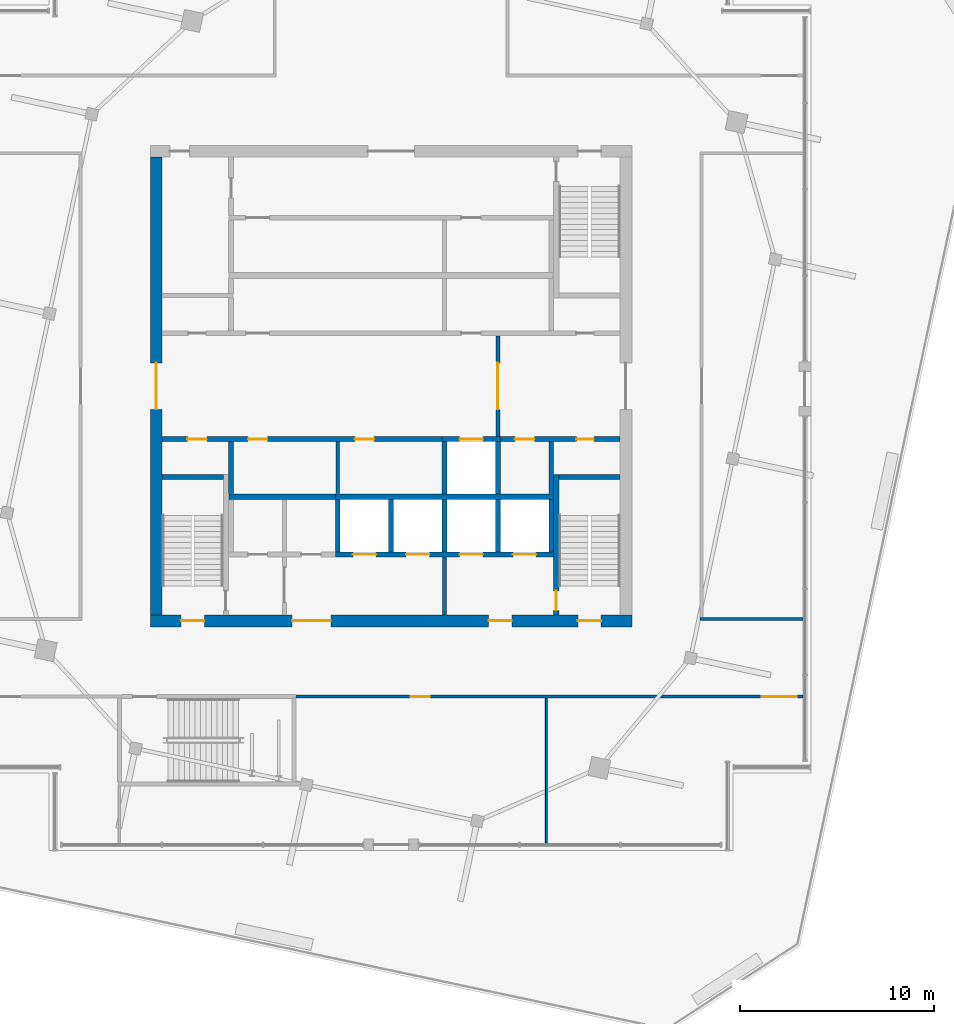
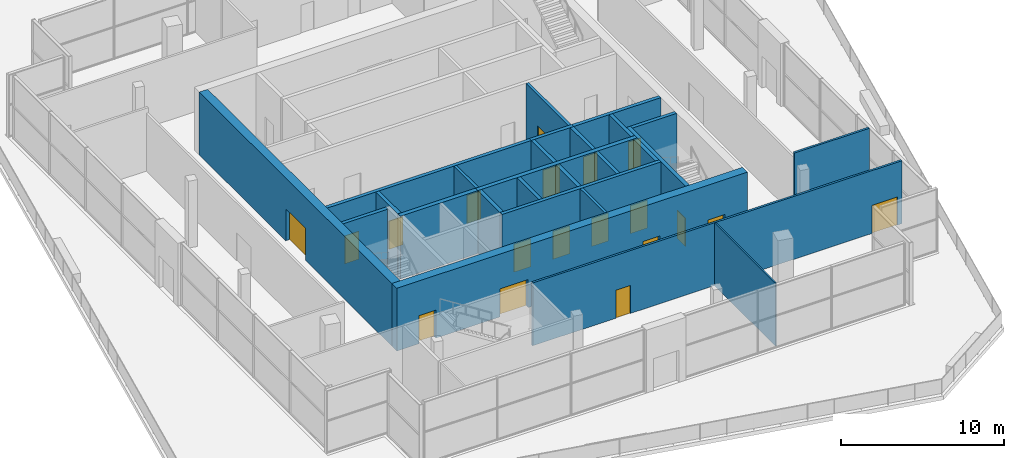
# One storey, part 8 of 14: 26 walls, 19 doors, 19 openings.
"""IFC4 building model written with IfcOpenShell, lengths in metres."""

import ifcopenshell
import ifcopenshell.guid

model = None  # the IFC model being written
_history = None  # IfcOwnerHistory: only IFC2X3 demands one
_inside = {}  # id of a spatial element -> (the spatial element, [elements in it])
_under = {}  # id of a project, library or spatial element -> (it, [spatial elements below it])
_declared = {}  # id of a project -> (the project, [libraries it declares])
_typed = {}  # id of a type object -> (the type object, [elements of that type])
_made_of = {}  # id of a material, layer set ... -> (it, [elements and type objects made of it])


def new_model(schema):
    """Start an empty IFC model of exactly this schema.

    Asked for "IFC4X3", IfcOpenShell would pick the latest addendum, in which some entities
    have other attributes; the version numbers below select the first issue.
    IFC2X3 requires an IfcOwnerHistory on every rooted entity: one is made here for all.
    """
    global model, _history
    if schema == "IFC4X3":
        model = ifcopenshell.file(schema_version=(4, 3, 0, 0))
    else:
        model = ifcopenshell.file(schema=schema)
    _inside.clear()
    _under.clear()
    _declared.clear()
    _typed.clear()
    _made_of.clear()
    _history = None
    if model.schema == "IFC2X3":
        org = make("IfcOrganization", Name="unknown")
        user = make(
            "IfcPersonAndOrganization",
            ThePerson=make("IfcPerson", FamilyName="unknown"),
            TheOrganization=org,
        )
        app = make(
            "IfcApplication",
            ApplicationDeveloper=org,
            Version="unknown",
            ApplicationFullName="unknown",
            ApplicationIdentifier="unknown",
        )
        _history = make(
            "IfcOwnerHistory",
            OwningUser=user,
            OwningApplication=app,
            ChangeAction="ADDED",
            CreationDate=0,
        )
    return model


def make(cls, **values):
    """One entity of the class cls with the attributes given. An attribute that is None is left unset."""
    return model.create_entity(
        cls, **{name: value for name, value in values.items() if value is not None}
    )


def rooted(cls, **values):
    """An entity with a GlobalId (a new one), such as an element, a storey or a relation."""
    return make(cls, GlobalId=ifcopenshell.guid.new(), OwnerHistory=_history, **values)


def si_unit(unit_type, name, prefix=None):
    """IfcSIUnit, for example si_unit("LENGTHUNIT", "METRE", prefix="MILLI")."""
    return make("IfcSIUnit", UnitType=unit_type, Prefix=prefix, Name=name)


def assignment(units):
    """IfcUnitAssignment: the units of a project."""
    return None if units is None else make("IfcUnitAssignment", Units=units)


def point(xyz):
    """IfcCartesianPoint."""
    return None if xyz is None else make("IfcCartesianPoint", Coordinates=xyz)


def direction(xyz):
    """IfcDirection."""
    return None if xyz is None else make("IfcDirection", DirectionRatios=xyz)


def frame(location, z_axis=None, x_axis=None):
    """IfcAxis2Placement3D, a coordinate frame: its origin and axes. An axis left out is left unset."""
    return make(
        "IfcAxis2Placement3D",
        Location=point(location),
        Axis=direction(z_axis),
        RefDirection=direction(x_axis),
    )


def frame_2d(location, x_axis=None):
    """IfcAxis2Placement2D, a coordinate frame in the plane: its origin and x axis."""
    return make(
        "IfcAxis2Placement2D", Location=point(location), RefDirection=direction(x_axis)
    )


def origin():
    """The frame at (0, 0, 0) with its axes left unset."""
    return frame((0.0, 0.0, 0.0))


def place(relative_to, where):
    """IfcLocalPlacement: puts the frame where relative to a parent placement (None: the world)."""
    return make(
        "IfcLocalPlacement", PlacementRelTo=relative_to, RelativePlacement=where
    )


def context(
    kind, dimensions, precision=None, world=None, true_north=None, identifier=None
):
    """IfcGeometricRepresentationContext, for example the 3D "Model" context."""
    return make(
        "IfcGeometricRepresentationContext",
        ContextIdentifier=identifier,
        ContextType=kind,
        CoordinateSpaceDimension=dimensions,
        Precision=precision,
        WorldCoordinateSystem=world,
        TrueNorth=true_north,
    )


def subcontext(parent, identifier, kind, view, scale=None):
    """IfcGeometricRepresentationSubContext, for example "Body" below "Model"."""
    return make(
        "IfcGeometricRepresentationSubContext",
        ContextIdentifier=identifier,
        ContextType=kind,
        ParentContext=parent,
        TargetScale=scale,
        TargetView=view,
    )


def project(units=None, contexts=None):
    """IfcProject with its units and contexts."""
    return rooted(
        "IfcProject",
        Name="project",
        RepresentationContexts=contexts,
        UnitsInContext=assignment(units),
    )


def spatial(cls, under=None, at=None, **own):
    """A site, building, storey or space (cls), placed at a placement, below another one or the project."""
    s = rooted(cls, ObjectPlacement=at, **own)
    if under is not None:
        _under.setdefault(under.id(), (under, []))[1].append(s)
    return s


def profile(cls, at=None, kind="AREA", **sizes):
    """A parametric profile (cls). Its sizes go by their IFC names, for example OverallWidth=200.0."""
    return make(cls, ProfileType=kind, Position=at, **sizes)


def rectangle(**sizes):
    """IfcRectangleProfileDef."""
    return profile("IfcRectangleProfileDef", **sizes)


def extrude(swept, where, along, depth):
    """IfcExtrudedAreaSolid: the profile swept, set in the frame where, extruded along a direction by depth."""
    return make(
        "IfcExtrudedAreaSolid",
        SweptArea=swept,
        Position=where,
        ExtrudedDirection=direction(along),
        Depth=depth,
    )


def shape(context_of_items, identifier, shape_type, items):
    """IfcShapeRepresentation: the items that make up one representation, for example the "Body"."""
    return make(
        "IfcShapeRepresentation",
        ContextOfItems=context_of_items,
        RepresentationIdentifier=identifier,
        RepresentationType=shape_type,
        Items=items,
    )


def material(Name=None, Category=None):
    """IfcMaterial."""
    return make("IfcMaterial", Name=Name, Category=Category)


def layer(
    of_material, thickness, ventilated=None, Name=None, Category=None, Priority=None
):
    """IfcMaterialLayer: one layer of a wall or slab, of a material (None: an air gap)."""
    return make(
        "IfcMaterialLayer",
        Material=of_material,
        LayerThickness=thickness,
        IsVentilated=ventilated,
        Name=Name,
        Category=Category,
        Priority=Priority,
    )


def layer_set(layers, Name=None):
    """IfcMaterialLayerSet."""
    return make("IfcMaterialLayerSet", MaterialLayers=layers, LayerSetName=Name)


def made_of(thing, what):
    """Note that an element or type object is made of a material, layer set ...; save() writes the relation."""
    if what is not None:
        _made_of.setdefault(what.id(), (what, []))[1].append(thing)
    return thing


def type_object(cls, material=None, **own):
    """A type object (cls), such as IfcWallType, which elements share."""
    return made_of(rooted(cls, **own), material)


def element(
    cls,
    number,
    at=None,
    inside=None,
    cuts=None,
    type_object=None,
    material=None,
    context=None,
    identifier="Body",
    shape_type=None,
    held_by="IfcProductDefinitionShape",
    body=None,
    shapes=None,
    **own,
):
    """One element of the class cls, such as IfcWall. Its Tag is "e" and its number.

    at: its placement. inside: the storey or other place that contains it. cuts: it is an
    opening in that element (IfcRelVoidsElement). A single representation is given by context,
    identifier, shape_type and body (its items); several are given by shapes. held_by: the class
    of the entity that holds the representations. save() writes the other relations.
    """
    e = rooted(cls, Tag="e%d" % number, ObjectPlacement=at, **own)
    if body is not None:
        shapes = [shape(context, identifier, shape_type, body)]
    if shapes is not None:
        e.Representation = make(held_by, Representations=shapes)
    if inside is not None:
        _inside.setdefault(inside.id(), (inside, []))[1].append(e)
    if cuts is not None:
        rooted(
            "IfcRelVoidsElement", RelatingBuildingElement=cuts, RelatedOpeningElement=e
        )
    if type_object is not None:
        _typed.setdefault(type_object.id(), (type_object, []))[1].append(e)
    return made_of(e, material)


def fill(opening, filler):
    """IfcRelFillsElement: the door or window that sits in an opening."""
    return rooted(
        "IfcRelFillsElement",
        RelatingOpeningElement=opening,
        RelatedBuildingElement=filler,
    )


def aggregate(whole, parts):
    """IfcRelAggregates: a whole, such as a stair, and the parts it consists of."""
    return rooted("IfcRelAggregates", RelatingObject=whole, RelatedObjects=parts)


def save(model, path):
    """Write the relations noted so far, then the file.

    IfcRelAggregates (storeys below a building ...), IfcRelContainedInSpatialStructure (elements
    in a storey), IfcRelDefinesByType, IfcRelAssociatesMaterial and IfcRelDeclares: one each for
    every whole, place, type object, material and project.
    """
    for whole, parts in _under.values():
        aggregate(whole, parts)
    for where, things in _inside.values():
        rooted(
            "IfcRelContainedInSpatialStructure",
            RelatedElements=things,
            RelatingStructure=where,
        )
    for kind, things in _typed.values():
        rooted("IfcRelDefinesByType", RelatedObjects=things, RelatingType=kind)
    for what, things in _made_of.values():
        rooted("IfcRelAssociatesMaterial", RelatedObjects=things, RelatingMaterial=what)
    for by, libraries in _declared.values():
        rooted("IfcRelDeclares", RelatingContext=by, RelatedDefinitions=libraries)
    model.write(path)


model = new_model("IFC4")

# Units and contexts
model_context = context("Model", 3, precision=1e-05, world=origin(), true_north=direction((0.0, 1.0)))
body_context = subcontext(model_context, "Body", "Model", "MODEL_VIEW")
ifc_project = project(units=[si_unit("LENGTHUNIT", "METRE"), si_unit("AREAUNIT", "SQUARE_METRE"), si_unit("VOLUMEUNIT", "CUBIC_METRE"), si_unit("PLANEANGLEUNIT", "RADIAN"), si_unit("MASSUNIT", "GRAM", prefix="KILO")], contexts=[model_context])

# Site, building, storey
site_placement = place(None, origin())
site = spatial("IfcSite", under=ifc_project, at=site_placement, CompositionType="ELEMENT")
building_placement = place(site_placement, origin())
building = spatial("IfcBuilding", under=site, at=building_placement, Name="Dilmun Exchange Tower", CompositionType="ELEMENT")
storey_placement = place(building_placement, frame((0.0, 0.0, 368.10009765625)))
storey = spatial("IfcBuildingStorey", under=building, at=storey_placement, Name="Crown L86", CompositionType="ELEMENT", Elevation=368.10009765625)

# Walls
ifc_material_1 = material(Name="Concrete C40/50", Category="concrete")
ifc_layer_1 = layer(ifc_material_1, 0.199951171875)
ifc_layer_set_1 = layer_set([ifc_layer_1], Name="Concrete C40/50")
wall_type_1 = type_object("IfcWallType", Name="Core partition wall 200", PredefinedType="PARTITIONING", material=ifc_layer_set_1)
wall_1_placement = place(storey_placement, frame((2.75, -11.794921875, 0.0), z_axis=(0.0, 0.0, 1.0), x_axis=(0.0, 1.0, 0.0)))
element("IfcWall", 1, at=wall_1_placement, inside=storey, type_object=wall_type_1, Name="Crown L86 core partition wall 02", PredefinedType="PARTITIONING", context=body_context, shape_type="SweptSolid", body=[
    extrude(rectangle(XDim=2.989990234375, YDim=0.199951171875, at=frame_2d((1.4951171875, 0.0))), origin(), (0.0, 0.0, 1.0), 4.699951171875),
])
wall_2_placement = place(storey_placement, frame((-2.75, -5.544921875, 0.0), z_axis=(0.0, 0.0, 1.0), x_axis=(0.0, 1.0, 0.0)))
element("IfcWall", 2, at=wall_2_placement, inside=storey, type_object=wall_type_1, Name="Crown L86 core partition wall 08", PredefinedType="PARTITIONING", context=body_context, shape_type="SweptSolid", body=[
    extrude(rectangle(XDim=2.68994140625, YDim=0.199951171875, at=frame_2d((1.344970703125, 0.0))), origin(), (0.0, 0.0, 1.0), 4.699951171875),
])

# Wall, opening, door
wall_3_placement = place(storey_placement, frame((5.5, -2.594970703125, 0.0), z_axis=(0.0, 0.0, 1.0), x_axis=(0.0, 1.0, 0.0)))
wall_3 = element("IfcWall", 3, at=wall_3_placement, inside=storey, type_object=wall_type_1, Name="Crown L86 core partition wall 12", PredefinedType="PARTITIONING", context=body_context, shape_type="SweptSolid", body=[
    extrude(rectangle(XDim=5.18994140625, YDim=0.199951171875, at=frame_2d((2.594970703125, 0.0))), origin(), (0.0, 0.0, 1.0), 4.699951171875),
])
opening_1_placement = place(wall_3_placement, frame((1.39501953125, 0.0, 0.0)))
opening_1 = element("IfcOpeningElement", 4, at=opening_1_placement, cuts=wall_3, Name="Opening CD1", PredefinedType="OPENING", context=body_context, shape_type="SweptSolid", body=[
    extrude(rectangle(XDim=2.39990234375, YDim=2.39990234375, at=frame_2d((1.199951171875, 1.199951171875))), frame((0.0, 0.10986328125, 0.0), z_axis=(0.0, -1.0, 0.0), x_axis=(1.0, 0.0, 0.0)), (0.0, 0.0, 1.0), 0.219970703125),
])
ifc_material_2 = material(Name="Fire-rated steel door set", Category="steel")
door_type_1 = type_object("IfcDoorType", Name="Core lobby door 2400x2400", OperationType="DOUBLE_DOOR_DOUBLE_SWING", PredefinedType="DOOR", material=ifc_material_2)
door_1_placement = place(opening_1_placement, origin())
door_1 = element("IfcDoor", 5, at=door_1_placement, inside=storey, type_object=door_type_1, Name="Crown L86 door Lift lobby east", OperationType="SINGLE_SWING_LEFT", OverallHeight=2.39990234375, OverallWidth=2.39990234375, PredefinedType="DOOR", context=body_context, shape_type="SweptSolid", body=[
    extrude(rectangle(XDim=2.39990234375, YDim=2.39990234375, at=frame_2d((1.199951171875, 1.199951171875))), frame((0.0, 0.02490234375, 0.0), z_axis=(0.0, -1.0, 0.0), x_axis=(1.0, 0.0, 0.0)), (0.0, 0.0, 1.0), 0.050048828125),
])
fill(opening_1, door_1)

# Walls
ifc_layer_2 = layer(ifc_material_1, 0.25)
ifc_layer_set_2 = layer_set([ifc_layer_2], Name="Concrete C40/50")
wall_type_2 = type_object("IfcWallType", Name="Core partition wall 250", PredefinedType="PARTITIONING", material=ifc_layer_set_2)
for number, where, z_axis, x_axis, name in (
    (6, (-8.25, -5.544921875, 0.0), (0.0, 0.0, 1.0), (0.0, 1.0, 0.0), "Crown L86 core partition wall 07"),
    (7, (8.25, -5.544921875, 0.0), (0.0, 0.0, 1.0), (0.0, 1.0, 0.0), "Crown L86 core partition wall 09"),
):
    element("IfcWall", number, at=place(storey_placement, frame(where, z_axis=z_axis, x_axis=x_axis)), inside=storey, type_object=wall_type_2, Name=name, PredefinedType="PARTITIONING", context=body_context, shape_type="SweptSolid", body=[
        extrude(rectangle(XDim=2.68994140625, YDim=0.25, at=frame_2d((1.344970703125, 0.0))), origin(), (0.0, 0.0, 1.0), 4.699951171875),
    ])

# Wall, openings, doors
wall_4_placement = place(storey_placement, frame((-11.794921875, -2.72509765625, 0.0), z_axis=(0.0, 0.0, 1.0), x_axis=(1.0, 0.0, 0.0)))
wall_4 = element("IfcWall", 8, at=wall_4_placement, inside=storey, type_object=wall_type_2, Name="Crown L86 core partition wall 10", PredefinedType="PARTITIONING", context=body_context, shape_type="SweptSolid", body=[
    extrude(rectangle(XDim=14.4150390625, YDim=0.25, at=frame_2d((7.20751953125, 0.0))), origin(), (0.0, 0.0, 1.0), 4.699951171875),
])
opening_2_placement = place(wall_4_placement, frame((1.294921875, 0.0, 0.0)))
opening_2 = element("IfcOpeningElement", 9, at=opening_2_placement, cuts=wall_4, Name="Opening CD4", PredefinedType="OPENING", context=body_context, shape_type="SweptSolid", body=[
    extrude(rectangle(XDim=1.0, YDim=2.10009765625, at=frame_2d((0.5, 1.050048828125))), frame((0.0, 0.135009765625, 0.0), z_axis=(0.0, -1.0, 0.0), x_axis=(1.0, 0.0, 0.0)), (0.0, 0.0, 1.0), 0.27001953125),
])
opening_3_placement = place(wall_4_placement, frame((4.419921875, 0.0, 0.0)))
opening_3 = element("IfcOpeningElement", 10, at=opening_3_placement, cuts=wall_4, Name="Opening CD4", PredefinedType="OPENING", context=body_context, shape_type="SweptSolid", body=[
    extrude(rectangle(XDim=1.0, YDim=2.10009765625, at=frame_2d((0.5, 1.050048828125))), frame((0.0, 0.135009765625, 0.0), z_axis=(0.0, -1.0, 0.0), x_axis=(1.0, 0.0, 0.0)), (0.0, 0.0, 1.0), 0.27001953125),
])
opening_4_placement = place(wall_4_placement, frame((9.919921875, 0.0, 0.0)))
opening_4 = element("IfcOpeningElement", 11, at=opening_4_placement, cuts=wall_4, Name="Opening CD4", PredefinedType="OPENING", context=body_context, shape_type="SweptSolid", body=[
    extrude(rectangle(XDim=1.0, YDim=2.10009765625, at=frame_2d((0.5, 1.050048828125))), frame((0.0, 0.135009765625, 0.0), z_axis=(0.0, -1.0, 0.0), x_axis=(1.0, 0.0, 0.0)), (0.0, 0.0, 1.0), 0.27001953125),
])
door_type_2 = type_object("IfcDoorType", Name="Core room door 1000x2100", OperationType="SINGLE_SWING_LEFT", PredefinedType="DOOR", material=ifc_material_2)
door_2_placement = place(opening_2_placement, origin())
door_2 = element("IfcDoor", 12, at=door_2_placement, inside=storey, type_object=door_type_2, Name="Crown L86 door Accessible WC", OperationType="SINGLE_SWING_LEFT", OverallHeight=2.10009765625, OverallWidth=1.0, PredefinedType="DOOR", context=body_context, shape_type="SweptSolid", body=[
    extrude(rectangle(XDim=1.0, YDim=2.10009765625, at=frame_2d((0.5, 1.050048828125))), frame((0.0, 0.02490234375, 0.0), z_axis=(0.0, -1.0, 0.0), x_axis=(1.0, 0.0, 0.0)), (0.0, 0.0, 1.0), 0.050048828125),
])
fill(opening_2, door_2)
door_3_placement = place(opening_3_placement, origin())
door_3 = element("IfcDoor", 13, at=door_3_placement, inside=storey, type_object=door_type_2, Name="Crown L86 door Mechanical room", OperationType="SINGLE_SWING_LEFT", OverallHeight=2.10009765625, OverallWidth=1.0, PredefinedType="DOOR", context=body_context, shape_type="SweptSolid", body=[
    extrude(rectangle(XDim=1.0, YDim=2.10009765625, at=frame_2d((0.5, 1.050048828125))), frame((0.0, 0.02490234375, 0.0), z_axis=(0.0, -1.0, 0.0), x_axis=(1.0, 0.0, 0.0)), (0.0, 0.0, 1.0), 0.050048828125),
])
fill(opening_3, door_3)
door_4_placement = place(opening_4_placement, origin())
door_4 = element("IfcDoor", 14, at=door_4_placement, inside=storey, type_object=door_type_2, Name="Crown L86 door Tenant services room", OperationType="SINGLE_SWING_LEFT", OverallHeight=2.10009765625, OverallWidth=1.0, PredefinedType="DOOR", context=body_context, shape_type="SweptSolid", body=[
    extrude(rectangle(XDim=1.0, YDim=2.10009765625, at=frame_2d((0.5, 1.050048828125))), frame((0.0, 0.02490234375, 0.0), z_axis=(0.0, -1.0, 0.0), x_axis=(1.0, 0.0, 0.0)), (0.0, 0.0, 1.0), 0.050048828125),
])
fill(opening_4, door_4)

wall_5_placement = place(storey_placement, frame((5.6298828125, -2.72509765625, 0.0), z_axis=(0.0, 0.0, 1.0), x_axis=(1.0, 0.0, 0.0)))
wall_5 = element("IfcWall", 15, at=wall_5_placement, inside=storey, type_object=wall_type_2, Name="Crown L86 core partition wall 11", PredefinedType="PARTITIONING", context=body_context, shape_type="SweptSolid", body=[
    extrude(rectangle(XDim=6.1650390625, YDim=0.25, at=frame_2d((3.08251953125, 0.0))), origin(), (0.0, 0.0, 1.0), 4.699951171875),
])
opening_5_placement = place(wall_5_placement, frame((0.7451171875, 0.0, 0.0)))
opening_5 = element("IfcOpeningElement", 16, at=opening_5_placement, cuts=wall_5, Name="Opening CD4", PredefinedType="OPENING", context=body_context, shape_type="SweptSolid", body=[
    extrude(rectangle(XDim=1.0, YDim=2.10009765625, at=frame_2d((0.5, 1.050048828125))), frame((0.0, 0.135009765625, 0.0), z_axis=(0.0, -1.0, 0.0), x_axis=(1.0, 0.0, 0.0)), (0.0, 0.0, 1.0), 0.27001953125),
])
opening_6_placement = place(wall_5_placement, frame((3.919921875, 0.0, 0.0)))
opening_6 = element("IfcOpeningElement", 17, at=opening_6_placement, cuts=wall_5, Name="Opening CD6", PredefinedType="OPENING", context=body_context, shape_type="SweptSolid", body=[
    extrude(rectangle(XDim=0.89990234375, YDim=2.10009765625, at=frame_2d((0.449951171875, 1.050048828125))), frame((0.0, 0.135009765625, 0.0), z_axis=(0.0, -1.0, 0.0), x_axis=(1.0, 0.0, 0.0)), (0.0, 0.0, 1.0), 0.27001953125),
])
door_5_placement = place(opening_5_placement, origin())
door_5 = element("IfcDoor", 18, at=door_5_placement, inside=storey, type_object=door_type_2, Name="Crown L86 door Cleaners' store", OperationType="SINGLE_SWING_LEFT", OverallHeight=2.10009765625, OverallWidth=1.0, PredefinedType="DOOR", context=body_context, shape_type="SweptSolid", body=[
    extrude(rectangle(XDim=1.0, YDim=2.10009765625, at=frame_2d((0.5, 1.050048828125))), frame((0.0, 0.02490234375, 0.0), z_axis=(0.0, -1.0, 0.0), x_axis=(1.0, 0.0, 0.0)), (0.0, 0.0, 1.0), 0.050048828125),
])
fill(opening_5, door_5)
door_type_3 = type_object("IfcDoorType", Name="Core room door 900x2100", OperationType="SINGLE_SWING_LEFT", PredefinedType="DOOR", material=ifc_material_2)
door_6_placement = place(opening_6_placement, origin())
door_6 = element("IfcDoor", 19, at=door_6_placement, inside=storey, type_object=door_type_3, Name="Crown L86 door Comms riser", OperationType="SINGLE_SWING_LEFT", OverallHeight=2.10009765625, OverallWidth=0.89990234375, PredefinedType="DOOR", context=body_context, shape_type="SweptSolid", body=[
    extrude(rectangle(XDim=0.89990234375, YDim=2.10009765625, at=frame_2d((0.449951171875, 1.050048828125))), frame((0.0, 0.02490234375, 0.0), z_axis=(0.0, -1.0, 0.0), x_axis=(1.0, 0.0, 0.0)), (0.0, 0.0, 1.0), 0.050048828125),
])
fill(opening_6, door_6)

# Wall
ifc_layer_3 = layer(ifc_material_1, 0.300048828125)
ifc_layer_set_3 = layer_set([ifc_layer_3], Name="Concrete C40/50")
wall_type_3 = type_object("IfcWallType", Name="Core partition wall 300", PredefinedType="PARTITIONING", material=ifc_layer_set_3)
wall_6_placement = place(storey_placement, frame((-8.35009765625, -5.699951171875, 0.0), z_axis=(0.0, 0.0, 1.0), x_axis=(1.0, 0.0, 0.0)))
element("IfcWall", 20, at=wall_6_placement, inside=storey, type_object=wall_type_3, Name="Crown L86 core partition wall 06", PredefinedType="PARTITIONING", context=body_context, shape_type="SweptSolid", body=[
    extrude(rectangle(XDim=5.47021484375, YDim=0.300048828125, at=frame_2d((2.735107421875, 0.0))), origin(), (0.0, 0.0, 1.0), 4.699951171875),
])

# Wall, openings, doors
ifc_material_3 = material(Name="Concrete C50/60", Category="concrete")
ifc_layer_4 = layer(ifc_material_3, 0.60009765625)
ifc_layer_set_4 = layer_set([ifc_layer_4], Name="Concrete C50/60")
wall_type_4 = type_object("IfcWallType", Name="Core shear wall 600 Concrete C50/60", PredefinedType="SHEAR", material=ifc_layer_set_4)
wall_7_placement = place(storey_placement, frame((-12.39990234375, -12.10009765625, 0.0), z_axis=(0.0, 0.0, 1.0), x_axis=(1.0, 0.0, 0.0)))
wall_7 = element("IfcWall", 21, at=wall_7_placement, inside=storey, type_object=wall_type_4, Name="Crown L86 core shear wall S", PredefinedType="SHEAR", context=body_context, shape_type="SweptSolid", body=[
    extrude(rectangle(XDim=24.7998046875, YDim=0.60009765625, at=frame_2d((12.39990234375, 0.0))), origin(), (0.0, 0.0, 1.0), 4.699951171875),
])
opening_7_placement = place(wall_7_placement, frame((7.300048828125, 0.0, 0.0)))
opening_7 = element("IfcOpeningElement", 22, at=opening_7_placement, cuts=wall_7, Name="Opening CD2", PredefinedType="OPENING", context=body_context, shape_type="SweptSolid", body=[
    extrude(rectangle(XDim=2.0, YDim=2.10009765625, at=frame_2d((1.0, 1.050048828125))), frame((0.0, 0.31005859375, 0.0), z_axis=(0.0, -1.0, 0.0), x_axis=(1.0, 0.0, 0.0)), (0.0, 0.0, 1.0), 0.6201171875),
])
opening_8_placement = place(wall_7_placement, frame((17.425048828125, 0.0, 0.0)))
opening_8 = element("IfcOpeningElement", 23, at=opening_8_placement, cuts=wall_7, Name="Opening CD3", PredefinedType="OPENING", context=body_context, shape_type="SweptSolid", body=[
    extrude(rectangle(XDim=1.199951171875, YDim=2.10009765625, at=frame_2d((0.60009765625, 1.050048828125))), frame((0.0, 0.31005859375, 0.0), z_axis=(0.0, -1.0, 0.0), x_axis=(1.0, 0.0, 0.0)), (0.0, 0.0, 1.0), 0.6201171875),
])
opening_9_placement = place(wall_7_placement, frame((1.574951171875, 0.0, 0.0)))
opening_9 = element("IfcOpeningElement", 24, at=opening_9_placement, cuts=wall_7, Name="Opening CD3", PredefinedType="OPENING", context=body_context, shape_type="SweptSolid", body=[
    extrude(rectangle(XDim=1.199951171875, YDim=2.10009765625, at=frame_2d((0.60009765625, 1.050048828125))), frame((0.0, 0.31005859375, 0.0), z_axis=(0.0, -1.0, 0.0), x_axis=(1.0, 0.0, 0.0)), (0.0, 0.0, 1.0), 0.6201171875),
])
opening_10_placement = place(wall_7_placement, frame((22.02490234375, 0.0, 0.0)))
opening_10 = element("IfcOpeningElement", 25, at=opening_10_placement, cuts=wall_7, Name="Opening CD3", PredefinedType="OPENING", context=body_context, shape_type="SweptSolid", body=[
    extrude(rectangle(XDim=1.199951171875, YDim=2.10009765625, at=frame_2d((0.60009765625, 1.050048828125))), frame((0.0, 0.31005859375, 0.0), z_axis=(0.0, -1.0, 0.0), x_axis=(1.0, 0.0, 0.0)), (0.0, 0.0, 1.0), 0.6201171875),
])
door_type_4 = type_object("IfcDoorType", Name="Core service door 2000x2100", OperationType="DOUBLE_DOOR_DOUBLE_SWING", PredefinedType="DOOR", material=ifc_material_2)
door_7_placement = place(opening_7_placement, origin())
door_7 = element("IfcDoor", 26, at=door_7_placement, inside=storey, type_object=door_type_4, Name="Crown L86 door South service lobby", OperationType="SINGLE_SWING_LEFT", OverallHeight=2.10009765625, OverallWidth=2.0, PredefinedType="DOOR", context=body_context, shape_type="SweptSolid", body=[
    extrude(rectangle(XDim=2.0, YDim=2.10009765625, at=frame_2d((1.0, 1.050048828125))), frame((0.0, 0.02490234375, 0.0), z_axis=(0.0, -1.0, 0.0), x_axis=(1.0, 0.0, 0.0)), (0.0, 0.0, 1.0), 0.050048828125),
])
fill(opening_7, door_7)
door_type_5 = type_object("IfcDoorType", Name="Stair exit door 1200x2100", OperationType="SINGLE_SWING_LEFT", PredefinedType="DOOR", material=ifc_material_2)
door_8_placement = place(opening_8_placement, origin())
door_8 = element("IfcDoor", 27, at=door_8_placement, inside=storey, type_object=door_type_5, Name="Crown L86 door Fire-fighting lobby", OperationType="SINGLE_SWING_LEFT", OverallHeight=2.10009765625, OverallWidth=1.199951171875, PredefinedType="DOOR", context=body_context, shape_type="SweptSolid", body=[
    extrude(rectangle(XDim=1.199951171875, YDim=2.10009765625, at=frame_2d((0.60009765625, 1.050048828125))), frame((0.0, 0.02490234375, 0.0), z_axis=(0.0, -1.0, 0.0), x_axis=(1.0, 0.0, 0.0)), (0.0, 0.0, 1.0), 0.050048828125),
])
fill(opening_8, door_8)
door_9_placement = place(opening_9_placement, origin())
door_9 = element("IfcDoor", 28, at=door_9_placement, inside=storey, type_object=door_type_5, Name="Crown L86 door Stair ST2", OperationType="SINGLE_SWING_LEFT", OverallHeight=2.10009765625, OverallWidth=1.199951171875, PredefinedType="DOOR", context=body_context, shape_type="SweptSolid", body=[
    extrude(rectangle(XDim=1.199951171875, YDim=2.10009765625, at=frame_2d((0.60009765625, 1.050048828125))), frame((0.0, 0.02490234375, 0.0), z_axis=(0.0, -1.0, 0.0), x_axis=(1.0, 0.0, 0.0)), (0.0, 0.0, 1.0), 0.050048828125),
])
fill(opening_9, door_9)
door_10_placement = place(opening_10_placement, origin())
door_10 = element("IfcDoor", 29, at=door_10_placement, inside=storey, type_object=door_type_5, Name="Crown L86 door Stair ST3", OperationType="SINGLE_SWING_LEFT", OverallHeight=2.10009765625, OverallWidth=1.199951171875, PredefinedType="DOOR", context=body_context, shape_type="SweptSolid", body=[
    extrude(rectangle(XDim=1.199951171875, YDim=2.10009765625, at=frame_2d((0.60009765625, 1.050048828125))), frame((0.0, 0.02490234375, 0.0), z_axis=(0.0, -1.0, 0.0), x_axis=(1.0, 0.0, 0.0)), (0.0, 0.0, 1.0), 0.050048828125),
])
fill(opening_10, door_10)

# Wall, opening, door
wall_8_placement = place(storey_placement, frame((-12.10009765625, -11.800048828125, 0.0), z_axis=(0.0, 0.0, 1.0), x_axis=(0.0, 1.0, 0.0)))
wall_8 = element("IfcWall", 30, at=wall_8_placement, inside=storey, type_object=wall_type_4, Name="Crown L86 core shear wall W", PredefinedType="SHEAR", context=body_context, shape_type="SweptSolid", body=[
    extrude(rectangle(XDim=23.60009765625, YDim=0.60009765625, at=frame_2d((11.800048828125, 0.0))), origin(), (0.0, 0.0, 1.0), 4.699951171875),
])
opening_11_placement = place(wall_8_placement, frame((10.60009765625, 0.0, 0.0)))
opening_11 = element("IfcOpeningElement", 31, at=opening_11_placement, cuts=wall_8, Name="Opening CD1", PredefinedType="OPENING", context=body_context, shape_type="SweptSolid", body=[
    extrude(rectangle(XDim=2.39990234375, YDim=2.39990234375, at=frame_2d((1.199951171875, 1.199951171875))), frame((0.0, 0.31005859375, 0.0), z_axis=(0.0, -1.0, 0.0), x_axis=(1.0, 0.0, 0.0)), (0.0, 0.0, 1.0), 0.6201171875),
])
door_11_placement = place(opening_11_placement, origin())
door_11 = element("IfcDoor", 32, at=door_11_placement, inside=storey, type_object=door_type_1, Name="Crown L86 door Central lift lobby", OperationType="SINGLE_SWING_LEFT", OverallHeight=2.39990234375, OverallWidth=2.39990234375, PredefinedType="DOOR", context=body_context, shape_type="SweptSolid", body=[
    extrude(rectangle(XDim=2.39990234375, YDim=2.39990234375, at=frame_2d((1.199951171875, 1.199951171875))), frame((0.0, 0.02490234375, 0.0), z_axis=(0.0, -1.0, 0.0), x_axis=(1.0, 0.0, 0.0)), (0.0, 0.0, 1.0), 0.050048828125),
])
fill(opening_11, door_11)

# Wall, openings, doors
ifc_material_4 = material(Name="Fire partition EI 60 150 gypsum")
ifc_layer_5 = layer(ifc_material_4, 0.14990234375)
ifc_layer_set_5 = layer_set([ifc_layer_5], Name="Fire partition EI 60 150 gypsum")
wall_type_5 = type_object("IfcWallType", Name="Fire partition EI 60 150 gypsum", PredefinedType="PARTITIONING", material=ifc_layer_set_5)
wall_9_placement = place(storey_placement, frame((-4.89990234375, -16.0, 0.0), z_axis=(0.0, 0.0, 1.0), x_axis=(1.0, 0.0, 0.0)))
wall_9 = element("IfcWall", 33, at=wall_9_placement, inside=storey, type_object=wall_type_5, Name="Crown L86 partition", PredefinedType="PARTITIONING", context=body_context, shape_type="SweptSolid", body=[
    extrude(rectangle(XDim=26.123291015625, YDim=0.14990234375, at=frame_2d((13.0615234375, 0.0))), origin(), (0.0, 0.0, 1.0), 4.699951171875),
])
opening_12_placement = place(wall_9_placement, frame((5.89990234375, 0.0, 0.0)))
opening_12 = element("IfcOpeningElement", 34, at=opening_12_placement, cuts=wall_9, Name="Opening CrownL86-D008", PredefinedType="OPENING", context=body_context, shape_type="SweptSolid", body=[
    extrude(rectangle(XDim=1.0, YDim=2.10009765625, at=frame_2d((0.5, 1.050048828125))), frame((0.0, 0.0849609375, 0.0), z_axis=(0.0, -1.0, 0.0), x_axis=(1.0, 0.0, 0.0)), (0.0, 0.0, 1.0), 0.169921875),
])
opening_13_placement = place(wall_9_placement, frame((24.0, 0.0, 0.0)))
opening_13 = element("IfcOpeningElement", 35, at=opening_13_placement, cuts=wall_9, Name="Opening CrownL86-D009", PredefinedType="OPENING", context=body_context, shape_type="SweptSolid", body=[
    extrude(rectangle(XDim=1.800048828125, YDim=2.10009765625, at=frame_2d((0.89990234375, 1.050048828125))), frame((0.0, 0.0849609375, 0.0), z_axis=(0.0, -1.0, 0.0), x_axis=(1.0, 0.0, 0.0)), (0.0, 0.0, 1.0), 0.169921875),
])
ifc_material_5 = material(Name="Fire door FD60 1000 x 2100")
door_type_6 = type_object("IfcDoorType", Name="Fire door FD60 1000 x 2100", OperationType="SINGLE_SWING_LEFT", PredefinedType="DOOR", material=ifc_material_5)
door_12_placement = place(opening_12_placement, origin())
door_12 = element("IfcDoor", 36, at=door_12_placement, inside=storey, type_object=door_type_6, Name="Crown L86 door CrownL86-D008", OperationType="SINGLE_SWING_RIGHT", OverallHeight=2.10009765625, OverallWidth=1.0, PredefinedType="DOOR", context=body_context, shape_type="SweptSolid", body=[
    extrude(rectangle(XDim=1.0, YDim=2.10009765625, at=frame_2d((0.5, 1.050048828125))), frame((0.0, 0.02490234375, 0.0), z_axis=(0.0, -1.0, 0.0), x_axis=(1.0, 0.0, 0.0)), (0.0, 0.0, 1.0), 0.050048828125),
])
fill(opening_12, door_12)
ifc_material_6 = material(Name="Fire door FD60 double 1800 x 2100")
door_type_7 = type_object("IfcDoorType", Name="Fire door FD60 double 1800 x 2100", OperationType="DOUBLE_DOOR_SINGLE_SWING", PredefinedType="DOOR", material=ifc_material_6)
door_13_placement = place(opening_13_placement, origin())
door_13 = element("IfcDoor", 37, at=door_13_placement, inside=storey, type_object=door_type_7, Name="Crown L86 door CrownL86-D009", OperationType="DOUBLE_DOOR_SINGLE_SWING", OverallHeight=2.10009765625, OverallWidth=1.800048828125, PredefinedType="DOOR", context=body_context, shape_type="SweptSolid", body=[
    extrude(rectangle(XDim=1.800048828125, YDim=2.10009765625, at=frame_2d((0.89990234375, 1.050048828125))), frame((0.0, 0.02490234375, 0.0), z_axis=(0.0, -1.0, 0.0), x_axis=(1.0, 0.0, 0.0)), (0.0, 0.0, 1.0), 0.050048828125),
])
fill(opening_13, door_13)

# Walls
wall_10_placement = place(storey_placement, frame((15.925048828125, -12.0, 0.0), z_axis=(0.0, 0.0, 1.0), x_axis=(1.0, 0.0, 0.0)))
element("IfcWall", 38, at=wall_10_placement, inside=storey, type_object=wall_type_5, Name="Crown L86 partition", PredefinedType="PARTITIONING", context=body_context, shape_type="SweptSolid", body=[
    extrude(rectangle(XDim=5.29833984375, YDim=0.14990234375, at=frame_2d((2.649169921875, 0.0))), origin(), (0.0, 0.0, 1.0), 4.699951171875),
])
ifc_layer_6 = layer(ifc_material_1, 0.300048828125)
ifc_layer_set_6 = layer_set([ifc_layer_6], Name="Concrete C40/50")
wall_type_6 = type_object("IfcWallType", Name="Lift shaft shared wall 300", PredefinedType="SOLIDWALL", material=ifc_layer_set_6)
wall_11_placement = place(storey_placement, frame((-2.875, -5.699951171875, 0.0), z_axis=(0.0, 0.0, 1.0), x_axis=(1.0, 0.0, 0.0)))
element("IfcWall", 39, at=wall_11_placement, inside=storey, type_object=wall_type_6, Name="Crown L86 lift shaft rear wall S", PredefinedType="SOLIDWALL", context=body_context, shape_type="SweptSolid", body=[
    extrude(rectangle(XDim=11.25, YDim=0.300048828125, at=frame_2d((5.625, 0.0))), origin(), (0.0, 0.0, 1.0), 4.699951171875),
])

# Wall, opening, door
ifc_layer_7 = layer(ifc_material_1, 0.25)
ifc_layer_set_7 = layer_set([ifc_layer_7], Name="Concrete C40/50")
wall_type_7 = type_object("IfcWallType", Name="Lift shaft wall 250", PredefinedType="SOLIDWALL", material=ifc_layer_set_7)
wall_12_placement = place(storey_placement, frame((2.625, -2.72509765625, 0.0), z_axis=(0.0, 0.0, 1.0), x_axis=(1.0, 0.0, 0.0)))
wall_12 = element("IfcWall", 40, at=wall_12_placement, inside=storey, type_object=wall_type_7, Name="Crown L86 lift shaft front wall S1", PredefinedType="SOLIDWALL", context=body_context, shape_type="SweptSolid", body=[
    extrude(rectangle(XDim=3.0, YDim=0.25, at=frame_2d((1.5, 0.0))), origin(), (0.0, 0.0, 1.0), 4.699951171875),
])
opening_14_placement = place(wall_12_placement, frame((0.89990234375, 0.0, 0.0)))
opening_14 = element("IfcOpeningElement", 41, at=opening_14_placement, cuts=wall_12, Name="Opening LD", PredefinedType="OPENING", context=body_context, shape_type="SweptSolid", body=[
    extrude(rectangle(XDim=1.199951171875, YDim=2.10009765625, at=frame_2d((0.60009765625, 1.050048828125))), frame((0.0, 0.135009765625, 0.0), z_axis=(0.0, -1.0, 0.0), x_axis=(1.0, 0.0, 0.0)), (0.0, 0.0, 1.0), 0.27001953125),
])
door_type_8 = type_object("IfcDoorType", Name="Lift landing door 1200x2100", OperationType="DOUBLE_DOOR_SLIDING", PredefinedType="DOOR", material=ifc_material_2)
door_14_placement = place(opening_14_placement, origin())
door_14 = element("IfcDoor", 42, at=door_14_placement, inside=storey, type_object=door_type_8, Name="Crown L86 landing door OB1", OperationType="DOUBLE_DOOR_SLIDING", OverallHeight=2.10009765625, OverallWidth=1.199951171875, PredefinedType="DOOR", context=body_context, shape_type="SweptSolid", body=[
    extrude(rectangle(XDim=1.199951171875, YDim=2.10009765625, at=frame_2d((0.60009765625, 1.050048828125))), frame((0.0, 0.02490234375, 0.0), z_axis=(0.0, -1.0, 0.0), x_axis=(1.0, 0.0, 0.0)), (0.0, 0.0, 1.0), 0.050048828125),
])
fill(opening_14, door_14)

# Walls
for number, where, z_axis, x_axis, name in (
    (43, (2.75, -5.550048828125, 0.0), (0.0, 0.0, 1.0), (0.0, 1.0, 0.0), "Crown L86 lift shaft divider S14"),
    (44, (5.5, -5.550048828125, 0.0), (0.0, 0.0, 1.0), (0.0, 1.0, 0.0), "Crown L86 lift shaft divider S15"),
):
    element("IfcWall", number, at=place(storey_placement, frame(where, z_axis=z_axis, x_axis=x_axis)), inside=storey, type_object=wall_type_7, Name=name, PredefinedType="SOLIDWALL", context=body_context, shape_type="SweptSolid", body=[
        extrude(rectangle(XDim=2.699951171875, YDim=0.25, at=frame_2d((1.35009765625, 0.0))), origin(), (0.0, 0.0, 1.0), 4.699951171875),
    ])

# Wall, openings, doors
wall_13_placement = place(storey_placement, frame((-2.875, -8.675048828125, 0.0), z_axis=(0.0, 0.0, 1.0), x_axis=(1.0, 0.0, 0.0)))
wall_13 = element("IfcWall", 45, at=wall_13_placement, inside=storey, type_object=wall_type_7, Name="Crown L86 lift shaft front wall S2", PredefinedType="SOLIDWALL", context=body_context, shape_type="SweptSolid", body=[
    extrude(rectangle(XDim=11.25, YDim=0.25, at=frame_2d((5.625, 0.0))), origin(), (0.0, 0.0, 1.0), 4.699951171875),
])
opening_15_placement = place(wall_13_placement, frame((0.89990234375, 0.0, 0.0)))
opening_15 = element("IfcOpeningElement", 46, at=opening_15_placement, cuts=wall_13, Name="Opening LD", PredefinedType="OPENING", context=body_context, shape_type="SweptSolid", body=[
    extrude(rectangle(XDim=1.199951171875, YDim=2.10009765625, at=frame_2d((0.60009765625, 1.050048828125))), frame((0.0, 0.135009765625, 0.0), z_axis=(0.0, -1.0, 0.0), x_axis=(1.0, 0.0, 0.0)), (0.0, 0.0, 1.0), 0.27001953125),
])
opening_16_placement = place(wall_13_placement, frame((3.64990234375, 0.0, 0.0)))
opening_16 = element("IfcOpeningElement", 47, at=opening_16_placement, cuts=wall_13, Name="Opening LD", PredefinedType="OPENING", context=body_context, shape_type="SweptSolid", body=[
    extrude(rectangle(XDim=1.199951171875, YDim=2.10009765625, at=frame_2d((0.60009765625, 1.050048828125))), frame((0.0, 0.135009765625, 0.0), z_axis=(0.0, -1.0, 0.0), x_axis=(1.0, 0.0, 0.0)), (0.0, 0.0, 1.0), 0.27001953125),
])
opening_17_placement = place(wall_13_placement, frame((6.39990234375, 0.0, 0.0)))
opening_17 = element("IfcOpeningElement", 48, at=opening_17_placement, cuts=wall_13, Name="Opening LD", PredefinedType="OPENING", context=body_context, shape_type="SweptSolid", body=[
    extrude(rectangle(XDim=1.199951171875, YDim=2.10009765625, at=frame_2d((0.60009765625, 1.050048828125))), frame((0.0, 0.135009765625, 0.0), z_axis=(0.0, -1.0, 0.0), x_axis=(1.0, 0.0, 0.0)), (0.0, 0.0, 1.0), 0.27001953125),
])
opening_18_placement = place(wall_13_placement, frame((9.14990234375, 0.0, 0.0)))
opening_18 = element("IfcOpeningElement", 49, at=opening_18_placement, cuts=wall_13, Name="Opening LD", PredefinedType="OPENING", context=body_context, shape_type="SweptSolid", body=[
    extrude(rectangle(XDim=1.199951171875, YDim=2.10009765625, at=frame_2d((0.60009765625, 1.050048828125))), frame((0.0, 0.135009765625, 0.0), z_axis=(0.0, -1.0, 0.0), x_axis=(1.0, 0.0, 0.0)), (0.0, 0.0, 1.0), 0.27001953125),
])
door_15_placement = place(opening_15_placement, origin())
door_15 = element("IfcDoor", 50, at=door_15_placement, inside=storey, type_object=door_type_8, Name="Crown L86 landing door SV1", OperationType="DOUBLE_DOOR_SLIDING", OverallHeight=2.10009765625, OverallWidth=1.199951171875, PredefinedType="DOOR", context=body_context, shape_type="SweptSolid", body=[
    extrude(rectangle(XDim=1.199951171875, YDim=2.10009765625, at=frame_2d((0.60009765625, 1.050048828125))), frame((0.0, 0.02490234375, 0.0), z_axis=(0.0, -1.0, 0.0), x_axis=(1.0, 0.0, 0.0)), (0.0, 0.0, 1.0), 0.050048828125),
])
fill(opening_15, door_15)
door_16_placement = place(opening_16_placement, origin())
door_16 = element("IfcDoor", 51, at=door_16_placement, inside=storey, type_object=door_type_8, Name="Crown L86 landing door SV2", OperationType="DOUBLE_DOOR_SLIDING", OverallHeight=2.10009765625, OverallWidth=1.199951171875, PredefinedType="DOOR", context=body_context, shape_type="SweptSolid", body=[
    extrude(rectangle(XDim=1.199951171875, YDim=2.10009765625, at=frame_2d((0.60009765625, 1.050048828125))), frame((0.0, 0.02490234375, 0.0), z_axis=(0.0, -1.0, 0.0), x_axis=(1.0, 0.0, 0.0)), (0.0, 0.0, 1.0), 0.050048828125),
])
fill(opening_16, door_16)
door_17_placement = place(opening_17_placement, origin())
door_17 = element("IfcDoor", 52, at=door_17_placement, inside=storey, type_object=door_type_8, Name="Crown L86 landing door FF1", OperationType="DOUBLE_DOOR_SLIDING", OverallHeight=2.10009765625, OverallWidth=1.199951171875, PredefinedType="DOOR", context=body_context, shape_type="SweptSolid", body=[
    extrude(rectangle(XDim=1.199951171875, YDim=2.10009765625, at=frame_2d((0.60009765625, 1.050048828125))), frame((0.0, 0.02490234375, 0.0), z_axis=(0.0, -1.0, 0.0), x_axis=(1.0, 0.0, 0.0)), (0.0, 0.0, 1.0), 0.050048828125),
])
fill(opening_17, door_17)
door_18_placement = place(opening_18_placement, origin())
door_18 = element("IfcDoor", 53, at=door_18_placement, inside=storey, type_object=door_type_8, Name="Crown L86 landing door FF2", OperationType="DOUBLE_DOOR_SLIDING", OverallHeight=2.10009765625, OverallWidth=1.199951171875, PredefinedType="DOOR", context=body_context, shape_type="SweptSolid", body=[
    extrude(rectangle(XDim=1.199951171875, YDim=2.10009765625, at=frame_2d((0.60009765625, 1.050048828125))), frame((0.0, 0.02490234375, 0.0), z_axis=(0.0, -1.0, 0.0), x_axis=(1.0, 0.0, 0.0)), (0.0, 0.0, 1.0), 0.050048828125),
])
fill(opening_18, door_18)

# Walls
for number, where, z_axis, x_axis, name in (
    (54, (-2.75, -8.550048828125, 0.0), (0.0, 0.0, 1.0), (0.0, 1.0, 0.0), "Crown L86 lift shaft divider S22"),
    (55, (0.0, -8.550048828125, 0.0), (0.0, 0.0, 1.0), (0.0, 1.0, 0.0), "Crown L86 lift shaft divider S23"),
    (56, (2.75, -8.550048828125, 0.0), (0.0, 0.0, 1.0), (0.0, 1.0, 0.0), "Crown L86 lift shaft divider S24"),
    (57, (5.5, -8.550048828125, 0.0), (0.0, 0.0, 1.0), (0.0, 1.0, 0.0), "Crown L86 lift shaft divider S25"),
    (58, (8.25, -8.550048828125, 0.0), (0.0, 0.0, 1.0), (0.0, 1.0, 0.0), "Crown L86 lift shaft divider S26"),
):
    element("IfcWall", number, at=place(storey_placement, frame(where, z_axis=z_axis, x_axis=x_axis)), inside=storey, type_object=wall_type_7, Name=name, PredefinedType="SOLIDWALL", context=body_context, shape_type="SweptSolid", body=[
        extrude(rectangle(XDim=2.699951171875, YDim=0.25, at=frame_2d((1.35009765625, 0.0))), origin(), (0.0, 0.0, 1.0), 4.699951171875),
    ])
ifc_material_7 = material(Name="Partition 100 gypsum")
ifc_layer_8 = layer(ifc_material_7, 0.10009765625)
ifc_layer_set_8 = layer_set([ifc_layer_8], Name="Partition 100 gypsum")
wall_type_8 = type_object("IfcWallType", Name="Partition 100 gypsum", PredefinedType="PARTITIONING", material=ifc_layer_set_8)
wall_14_placement = place(storey_placement, frame((8.0, -23.5341796875, 0.0), z_axis=(0.0, 0.0, 1.0), x_axis=(0.0, 1.0, 0.0)))
element("IfcWall", 59, at=wall_14_placement, inside=storey, type_object=wall_type_8, Name="Crown L86 partition", PredefinedType="PARTITIONING", context=body_context, shape_type="SweptSolid", body=[
    extrude(rectangle(XDim=7.459228515625, YDim=0.10009765625, at=frame_2d((3.7294921875, 0.0))), origin(), (0.0, 0.0, 1.0), 4.699951171875),
])
ifc_layer_9 = layer(ifc_material_1, 0.25)
ifc_layer_set_9 = layer_set([ifc_layer_9], Name="Concrete C40/50")
wall_type_9 = type_object("IfcWallType", Name="Stair end wall 250", PredefinedType="SOLIDWALL", material=ifc_layer_set_9)
for number, where, z_axis, x_axis, name in (
    (60, (-8.64990234375, -4.675048828125, 0.0), (0.0, 0.0, 1.0), (-1.0, 0.0, 0.0), "Crown L86 ST2 far wall"),
    (61, (8.64990234375, -4.675048828125, 0.0), (0.0, 0.0, 1.0), (1.0, 0.0, 0.0), "Crown L86 ST3 far wall"),
):
    element("IfcWall", number, at=place(storey_placement, frame(where, z_axis=z_axis, x_axis=x_axis)), inside=storey, type_object=wall_type_9, Name=name, PredefinedType="SOLIDWALL", context=body_context, shape_type="SweptSolid", body=[
        extrude(rectangle(XDim=3.150146484375, YDim=0.25, at=frame_2d((1.5751953125, 0.0))), origin(), (0.0, 0.0, 1.0), 4.699951171875),
    ])

# Wall, opening, door
ifc_layer_10 = layer(ifc_material_1, 0.27490234375)
ifc_layer_set_10 = layer_set([ifc_layer_10], Name="Concrete C40/50")
wall_type_10 = type_object("IfcWallType", Name="Stair wall 275", PredefinedType="SOLIDWALL", material=ifc_layer_set_10)
wall_15_placement = place(storey_placement, frame((8.512451171875, -4.550048828125, 0.0), z_axis=(0.0, 0.0, 1.0), x_axis=(0.0, -1.0, 0.0)))
wall_15 = element("IfcWall", 62, at=wall_15_placement, inside=storey, type_object=wall_type_10, Name="Crown L86 ST3 wall to lift block", PredefinedType="SOLIDWALL", context=body_context, shape_type="SweptSolid", body=[
    extrude(rectangle(XDim=7.25, YDim=0.27490234375, at=frame_2d((3.625, 0.0))), origin(), (0.0, 0.0, 1.0), 4.699951171875),
])
opening_19_placement = place(wall_15_placement, frame((6.0, 0.0, 0.0)))
opening_19 = element("IfcOpeningElement", 63, at=opening_19_placement, cuts=wall_15, Name="Opening CD4", PredefinedType="OPENING", context=body_context, shape_type="SweptSolid", body=[
    extrude(rectangle(XDim=1.0, YDim=2.10009765625, at=frame_2d((0.5, 1.050048828125))), frame((0.0, 0.1474609375, 0.0), z_axis=(0.0, -1.0, 0.0), x_axis=(1.0, 0.0, 0.0)), (0.0, 0.0, 1.0), 0.294921875),
])
door_19_placement = place(opening_19_placement, origin())
door_19 = element("IfcDoor", 64, at=door_19_placement, inside=storey, type_object=door_type_2, Name="Crown L86 door ST3 from lobby", OperationType="SINGLE_SWING_LEFT", OverallHeight=2.10009765625, OverallWidth=1.0, PredefinedType="DOOR", context=body_context, shape_type="SweptSolid", body=[
    extrude(rectangle(XDim=1.0, YDim=2.10009765625, at=frame_2d((0.5, 1.050048828125))), frame((0.0, 0.02490234375, 0.0), z_axis=(0.0, -1.0, 0.0), x_axis=(1.0, 0.0, 0.0)), (0.0, 0.0, 1.0), 0.050048828125),
])
fill(opening_19, door_19)

save(model, "model.ifc")
